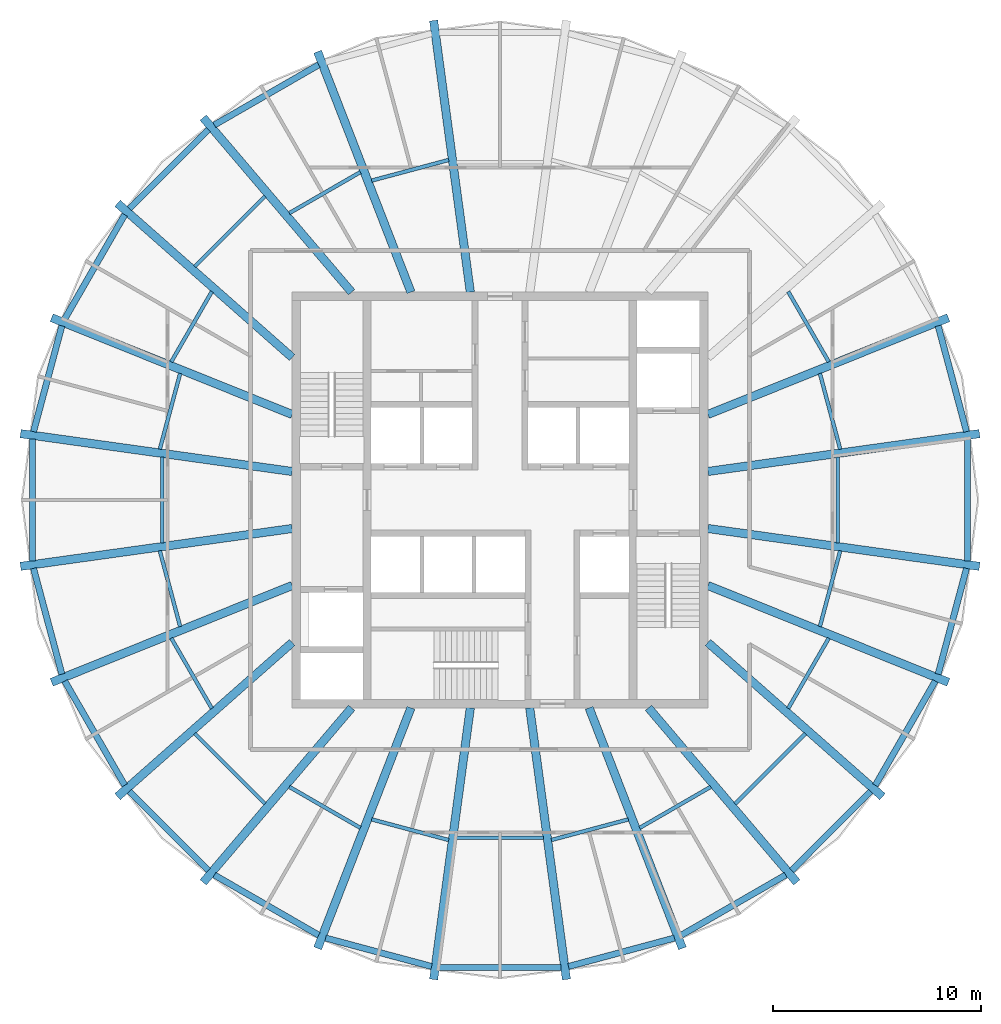
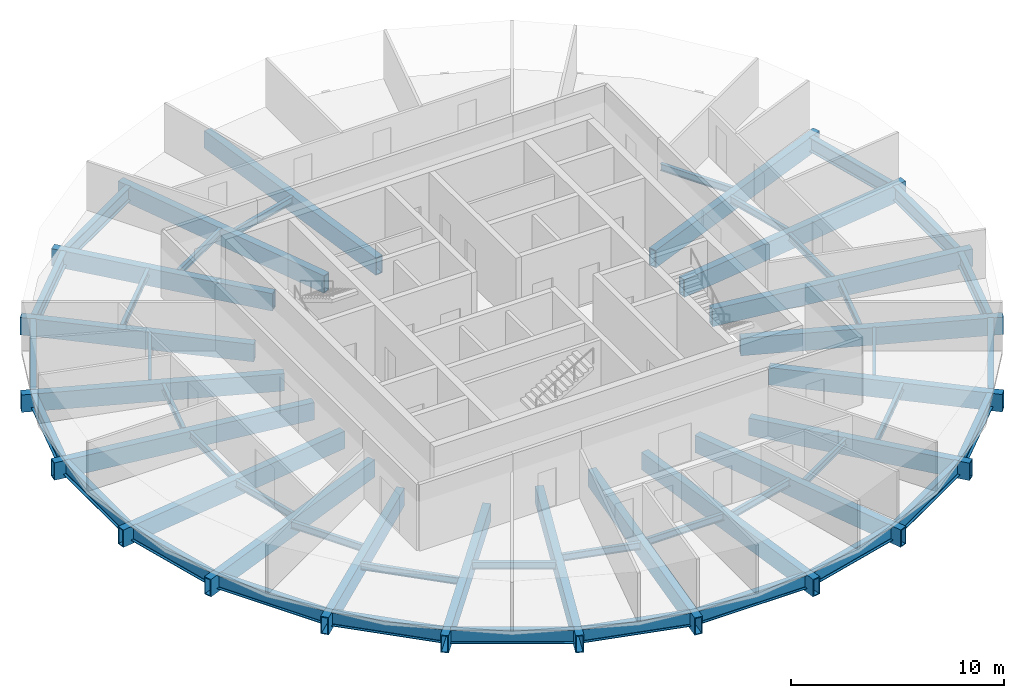
# One storey, part 1 of 6: 58 beams.
"""IFC4 building model written with IfcOpenShell, lengths in metres."""

import ifcopenshell
import ifcopenshell.guid

model = None  # the IFC model being written
_history = None  # IfcOwnerHistory: only IFC2X3 demands one
_inside = {}  # id of a spatial element -> (the spatial element, [elements in it])
_under = {}  # id of a project, library or spatial element -> (it, [spatial elements below it])
_declared = {}  # id of a project -> (the project, [libraries it declares])
_typed = {}  # id of a type object -> (the type object, [elements of that type])
_made_of = {}  # id of a material, layer set ... -> (it, [elements and type objects made of it])


def new_model(schema):
    """Start an empty IFC model of exactly this schema.

    Asked for "IFC4X3", IfcOpenShell would pick the latest addendum, in which some entities
    have other attributes; the version numbers below select the first issue.
    IFC2X3 requires an IfcOwnerHistory on every rooted entity: one is made here for all.
    """
    global model, _history
    if schema == "IFC4X3":
        model = ifcopenshell.file(schema_version=(4, 3, 0, 0))
    else:
        model = ifcopenshell.file(schema=schema)
    _inside.clear()
    _under.clear()
    _declared.clear()
    _typed.clear()
    _made_of.clear()
    _history = None
    if model.schema == "IFC2X3":
        org = make("IfcOrganization", Name="unknown")
        user = make(
            "IfcPersonAndOrganization",
            ThePerson=make("IfcPerson", FamilyName="unknown"),
            TheOrganization=org,
        )
        app = make(
            "IfcApplication",
            ApplicationDeveloper=org,
            Version="unknown",
            ApplicationFullName="unknown",
            ApplicationIdentifier="unknown",
        )
        _history = make(
            "IfcOwnerHistory",
            OwningUser=user,
            OwningApplication=app,
            ChangeAction="ADDED",
            CreationDate=0,
        )
    return model


def make(cls, **values):
    """One entity of the class cls with the attributes given. An attribute that is None is left unset."""
    return model.create_entity(
        cls, **{name: value for name, value in values.items() if value is not None}
    )


def rooted(cls, **values):
    """An entity with a GlobalId (a new one), such as an element, a storey or a relation."""
    return make(cls, GlobalId=ifcopenshell.guid.new(), OwnerHistory=_history, **values)


def si_unit(unit_type, name, prefix=None):
    """IfcSIUnit, for example si_unit("LENGTHUNIT", "METRE", prefix="MILLI")."""
    return make("IfcSIUnit", UnitType=unit_type, Prefix=prefix, Name=name)


def assignment(units):
    """IfcUnitAssignment: the units of a project."""
    return None if units is None else make("IfcUnitAssignment", Units=units)


def point(xyz):
    """IfcCartesianPoint."""
    return None if xyz is None else make("IfcCartesianPoint", Coordinates=xyz)


def direction(xyz):
    """IfcDirection."""
    return None if xyz is None else make("IfcDirection", DirectionRatios=xyz)


def frame(location, z_axis=None, x_axis=None):
    """IfcAxis2Placement3D, a coordinate frame: its origin and axes. An axis left out is left unset."""
    return make(
        "IfcAxis2Placement3D",
        Location=point(location),
        Axis=direction(z_axis),
        RefDirection=direction(x_axis),
    )


def frame_2d(location, x_axis=None):
    """IfcAxis2Placement2D, a coordinate frame in the plane: its origin and x axis."""
    return make(
        "IfcAxis2Placement2D", Location=point(location), RefDirection=direction(x_axis)
    )


def origin():
    """The frame at (0, 0, 0) with its axes left unset."""
    return frame((0.0, 0.0, 0.0))


def origin_2d():
    """The frame at (0, 0) in the plane with its x axis left unset."""
    return frame_2d((0.0, 0.0))


def place(relative_to, where):
    """IfcLocalPlacement: puts the frame where relative to a parent placement (None: the world)."""
    return make(
        "IfcLocalPlacement", PlacementRelTo=relative_to, RelativePlacement=where
    )


def context(
    kind, dimensions, precision=None, world=None, true_north=None, identifier=None
):
    """IfcGeometricRepresentationContext, for example the 3D "Model" context."""
    return make(
        "IfcGeometricRepresentationContext",
        ContextIdentifier=identifier,
        ContextType=kind,
        CoordinateSpaceDimension=dimensions,
        Precision=precision,
        WorldCoordinateSystem=world,
        TrueNorth=true_north,
    )


def subcontext(parent, identifier, kind, view, scale=None):
    """IfcGeometricRepresentationSubContext, for example "Body" below "Model"."""
    return make(
        "IfcGeometricRepresentationSubContext",
        ContextIdentifier=identifier,
        ContextType=kind,
        ParentContext=parent,
        TargetScale=scale,
        TargetView=view,
    )


def project(units=None, contexts=None):
    """IfcProject with its units and contexts."""
    return rooted(
        "IfcProject",
        Name="project",
        RepresentationContexts=contexts,
        UnitsInContext=assignment(units),
    )


def spatial(cls, under=None, at=None, **own):
    """A site, building, storey or space (cls), placed at a placement, below another one or the project."""
    s = rooted(cls, ObjectPlacement=at, **own)
    if under is not None:
        _under.setdefault(under.id(), (under, []))[1].append(s)
    return s


def profile(cls, at=None, kind="AREA", **sizes):
    """A parametric profile (cls). Its sizes go by their IFC names, for example OverallWidth=200.0."""
    return make(cls, ProfileType=kind, Position=at, **sizes)


def hollow_rectangle(**sizes):
    """IfcRectangleHollowProfileDef."""
    return profile("IfcRectangleHollowProfileDef", **sizes)


def i_section(**sizes):
    """IfcIShapeProfileDef."""
    return profile("IfcIShapeProfileDef", **sizes)


def extrude(swept, where, along, depth):
    """IfcExtrudedAreaSolid: the profile swept, set in the frame where, extruded along a direction by depth."""
    return make(
        "IfcExtrudedAreaSolid",
        SweptArea=swept,
        Position=where,
        ExtrudedDirection=direction(along),
        Depth=depth,
    )


def shape(context_of_items, identifier, shape_type, items):
    """IfcShapeRepresentation: the items that make up one representation, for example the "Body"."""
    return make(
        "IfcShapeRepresentation",
        ContextOfItems=context_of_items,
        RepresentationIdentifier=identifier,
        RepresentationType=shape_type,
        Items=items,
    )


def material(Name=None, Category=None):
    """IfcMaterial."""
    return make("IfcMaterial", Name=Name, Category=Category)


def material_profile(
    of_material, cross_section, Name=None, Category=None, Priority=None
):
    """IfcMaterialProfile: a cross section and its material."""
    return make(
        "IfcMaterialProfile",
        Name=Name,
        Material=of_material,
        Profile=cross_section,
        Priority=Priority,
        Category=Category,
    )


def profile_set(profiles, Name=None, composite=None):
    """IfcMaterialProfileSet."""
    return make(
        "IfcMaterialProfileSet",
        Name=Name,
        MaterialProfiles=profiles,
        CompositeProfile=composite,
    )


def made_of(thing, what):
    """Note that an element or type object is made of a material, layer set ...; save() writes the relation."""
    if what is not None:
        _made_of.setdefault(what.id(), (what, []))[1].append(thing)
    return thing


def type_object(cls, material=None, **own):
    """A type object (cls), such as IfcWallType, which elements share."""
    return made_of(rooted(cls, **own), material)


def element(
    cls,
    number,
    at=None,
    inside=None,
    cuts=None,
    type_object=None,
    material=None,
    context=None,
    identifier="Body",
    shape_type=None,
    held_by="IfcProductDefinitionShape",
    body=None,
    shapes=None,
    **own,
):
    """One element of the class cls, such as IfcWall. Its Tag is "e" and its number.

    at: its placement. inside: the storey or other place that contains it. cuts: it is an
    opening in that element (IfcRelVoidsElement). A single representation is given by context,
    identifier, shape_type and body (its items); several are given by shapes. held_by: the class
    of the entity that holds the representations. save() writes the other relations.
    """
    e = rooted(cls, Tag="e%d" % number, ObjectPlacement=at, **own)
    if body is not None:
        shapes = [shape(context, identifier, shape_type, body)]
    if shapes is not None:
        e.Representation = make(held_by, Representations=shapes)
    if inside is not None:
        _inside.setdefault(inside.id(), (inside, []))[1].append(e)
    if cuts is not None:
        rooted(
            "IfcRelVoidsElement", RelatingBuildingElement=cuts, RelatedOpeningElement=e
        )
    if type_object is not None:
        _typed.setdefault(type_object.id(), (type_object, []))[1].append(e)
    return made_of(e, material)


def aggregate(whole, parts):
    """IfcRelAggregates: a whole, such as a stair, and the parts it consists of."""
    return rooted("IfcRelAggregates", RelatingObject=whole, RelatedObjects=parts)


def save(model, path):
    """Write the relations noted so far, then the file.

    IfcRelAggregates (storeys below a building ...), IfcRelContainedInSpatialStructure (elements
    in a storey), IfcRelDefinesByType, IfcRelAssociatesMaterial and IfcRelDeclares: one each for
    every whole, place, type object, material and project.
    """
    for whole, parts in _under.values():
        aggregate(whole, parts)
    for where, things in _inside.values():
        rooted(
            "IfcRelContainedInSpatialStructure",
            RelatedElements=things,
            RelatingStructure=where,
        )
    for kind, things in _typed.values():
        rooted("IfcRelDefinesByType", RelatedObjects=things, RelatingType=kind)
    for what, things in _made_of.values():
        rooted("IfcRelAssociatesMaterial", RelatedObjects=things, RelatingMaterial=what)
    for by, libraries in _declared.values():
        rooted("IfcRelDeclares", RelatingContext=by, RelatedDefinitions=libraries)
    model.write(path)


model = new_model("IFC4")

# Units and contexts
model_context = context("Model", 3, precision=1e-05, world=origin(), true_north=direction((0.0, 1.0)))
body_context = subcontext(model_context, "Body", "Model", "MODEL_VIEW")
ifc_project = project(units=[si_unit("LENGTHUNIT", "METRE"), si_unit("AREAUNIT", "SQUARE_METRE"), si_unit("VOLUMEUNIT", "CUBIC_METRE"), si_unit("PLANEANGLEUNIT", "RADIAN"), si_unit("MASSUNIT", "GRAM", prefix="KILO")], contexts=[model_context])

# Site, building, storey
site_placement = place(None, origin())
site = spatial("IfcSite", under=ifc_project, at=site_placement, CompositionType="ELEMENT")
building_placement = place(site_placement, origin())
building = spatial("IfcBuilding", under=site, at=building_placement, Name="Golbaran Civic Tower", CompositionType="ELEMENT")
storey_placement = place(building_placement, frame((0.0, 0.0, 224.0)))
storey = spatial("IfcBuildingStorey", under=building, at=storey_placement, Name="L54", CompositionType="ELEMENT", Elevation=224.0)

# Beams
ifc_material = material(Name="Steel S355", Category="steel")
ifc_material_profile_1 = material_profile(ifc_material, i_section(OverallWidth=0.300048828125, OverallDepth=0.800048828125, WebThickness=0.017578125, FlangeThickness=0.032958984375, FilletRadius=0.030029296875, at=origin_2d()), Name="HEB 800")
ifc_profile_set_1 = profile_set([ifc_material_profile_1], Name="Steel S355")
beam_type_1 = type_object("IfcBeamType", Name="EDGE BEAM HEB 800", PredefinedType="BEAM", material=ifc_profile_set_1)
beam_1_placement = place(storey_placement, frame((22.44482421875, 3.28759765625, -0.60009765625), z_axis=(-0.258905113737, 0.965902760158, 0.0), x_axis=(-0.965902760158, -0.258905113737, 0.0)))
element("IfcBeam", 1, at=beam_1_placement, inside=storey, type_object=beam_type_1, Name="Edge beam 7.88 L54", PredefinedType="BEAM", context=body_context, shape_type="SweptSolid", body=[
    extrude(i_section(OverallWidth=0.300048828125, OverallDepth=0.800048828125, WebThickness=0.017578125, FlangeThickness=0.032958984375, FilletRadius=0.030029296875, at=origin_2d()), origin(), (0.0, 0.0, 1.0), 5.270263671875),
])
beam_2_placement = place(storey_placement, frame((-8.723876953125, 20.937255859375, -0.60009765625), z_axis=(-0.866375593254, -0.499392962919, 0.0), x_axis=(0.499392962919, -0.866375593254, 0.0)))
element("IfcBeam", 2, at=beam_2_placement, inside=storey, type_object=beam_type_1, Name="Edge beam 112.12 L54", PredefinedType="BEAM", context=body_context, shape_type="SweptSolid", body=[
    extrude(i_section(OverallWidth=0.300048828125, OverallDepth=0.800048828125, WebThickness=0.017578125, FlangeThickness=0.032958984375, FilletRadius=0.030029296875, at=origin_2d()), origin(), (0.0, 0.0, 1.0), 5.795166015625),
])
beam_3_placement = place(storey_placement, frame((-14.03076171875, 17.823974609375, -0.60009765625), z_axis=(-0.706789377825, -0.707424042137, 0.0), x_axis=(0.707424042137, -0.706789377825, 0.0)))
element("IfcBeam", 3, at=beam_3_placement, inside=storey, type_object=beam_type_1, Name="Edge beam 127.88 L54", PredefinedType="BEAM", context=body_context, shape_type="SweptSolid", body=[
    extrude(i_section(OverallWidth=0.300048828125, OverallDepth=0.800048828125, WebThickness=0.017578125, FlangeThickness=0.032958984375, FilletRadius=0.030029296875, at=origin_2d()), origin(), (0.0, 0.0, 1.0), 5.385498046875),
])
beam_4_placement = place(storey_placement, frame((-18.056396484375, 13.727294921875, -0.60009765625), z_axis=(-0.498739777228, -0.866751772199, 0.0), x_axis=(0.866751772199, -0.498739777228, 0.0)))
element("IfcBeam", 4, at=beam_4_placement, inside=storey, type_object=beam_type_1, Name="Edge beam 142.12 L54", PredefinedType="BEAM", context=body_context, shape_type="SweptSolid", body=[
    extrude(i_section(OverallWidth=0.300048828125, OverallDepth=0.800048828125, WebThickness=0.017578125, FlangeThickness=0.032958984375, FilletRadius=0.030029296875, at=origin_2d()), origin(), (0.0, 0.0, 1.0), 5.78759765625),
])
beam_5_placement = place(storey_placement, frame((-21.080322265625, 8.378173828125, -0.60009765625), z_axis=(-0.258905113737, -0.965902760158, 0.0), x_axis=(0.965902760158, -0.258905113737, 0.0)))
element("IfcBeam", 5, at=beam_5_placement, inside=storey, type_object=beam_type_1, Name="Edge beam 157.88 L54", PredefinedType="BEAM", context=body_context, shape_type="SweptSolid", body=[
    extrude(i_section(OverallWidth=0.300048828125, OverallDepth=0.800048828125, WebThickness=0.017578125, FlangeThickness=0.032958984375, FilletRadius=0.030029296875, at=origin_2d()), origin(), (0.0, 0.0, 1.0), 5.270263671875),
])
beam_6_placement = place(storey_placement, frame((-22.49169921875, 2.9306640625, -0.60009765625), z_axis=(0.0, -1.0, 0.0), x_axis=(1.0, 0.0, 0.0)))
element("IfcBeam", 6, at=beam_6_placement, inside=storey, type_object=beam_type_1, Name="Edge beam 172.12 L54", PredefinedType="BEAM", context=body_context, shape_type="SweptSolid", body=[
    extrude(i_section(OverallWidth=0.300048828125, OverallDepth=0.800048828125, WebThickness=0.017578125, FlangeThickness=0.032958984375, FilletRadius=0.030029296875, at=origin_2d()), origin(), (0.0, 0.0, 1.0), 5.861328125),
])
beam_7_placement = place(storey_placement, frame((-22.44482421875, -3.28759765625, -0.60009765625), z_axis=(0.258905113737, -0.965902760158, 0.0), x_axis=(0.965902760158, 0.258905113737, 0.0)))
element("IfcBeam", 7, at=beam_7_placement, inside=storey, type_object=beam_type_1, Name="Edge beam 187.88 L54", PredefinedType="BEAM", context=body_context, shape_type="SweptSolid", body=[
    extrude(i_section(OverallWidth=0.300048828125, OverallDepth=0.800048828125, WebThickness=0.017578125, FlangeThickness=0.032958984375, FilletRadius=0.030029296875, at=origin_2d()), origin(), (0.0, 0.0, 1.0), 5.270263671875),
])
beam_8_placement = place(storey_placement, frame((-20.94287109375, -8.7109375, -0.60009765625), z_axis=(0.498739777228, -0.866751772199, 0.0), x_axis=(0.866751772199, 0.498739777228, 0.0)))
element("IfcBeam", 8, at=beam_8_placement, inside=storey, type_object=beam_type_1, Name="Edge beam 202.12 L54", PredefinedType="BEAM", context=body_context, shape_type="SweptSolid", body=[
    extrude(i_section(OverallWidth=0.300048828125, OverallDepth=0.800048828125, WebThickness=0.017578125, FlangeThickness=0.032958984375, FilletRadius=0.030029296875, at=origin_2d()), origin(), (0.0, 0.0, 1.0), 5.78759765625),
])
beam_9_placement = place(storey_placement, frame((-17.837158203125, -14.01416015625, -0.60009765625), z_axis=(0.706789377825, -0.707424042137, 0.0), x_axis=(0.707424042137, 0.706789377825, 0.0)))
element("IfcBeam", 9, at=beam_9_placement, inside=storey, type_object=beam_type_1, Name="Edge beam 217.88 L54", PredefinedType="BEAM", context=body_context, shape_type="SweptSolid", body=[
    extrude(i_section(OverallWidth=0.300048828125, OverallDepth=0.800048828125, WebThickness=0.017578125, FlangeThickness=0.032958984375, FilletRadius=0.030029296875, at=origin_2d()), origin(), (0.0, 0.0, 1.0), 5.385498046875),
])
beam_10_placement = place(storey_placement, frame((-13.74462890625, -18.043212890625, -0.60009765625), z_axis=(0.866375593254, -0.499392962919, 0.0), x_axis=(0.499392962919, 0.866375593254, 0.0)))
element("IfcBeam", 10, at=beam_10_placement, inside=storey, type_object=beam_type_1, Name="Edge beam 232.12 L54", PredefinedType="BEAM", context=body_context, shape_type="SweptSolid", body=[
    extrude(i_section(OverallWidth=0.300048828125, OverallDepth=0.800048828125, WebThickness=0.017578125, FlangeThickness=0.032958984375, FilletRadius=0.030029296875, at=origin_2d()), origin(), (0.0, 0.0, 1.0), 5.795166015625),
])
beam_11_placement = place(storey_placement, frame((-8.391357421875, -21.0751953125, -0.60009765625), z_axis=(0.96580302518, -0.259276910954, 0.0), x_axis=(0.259276910954, 0.96580302518, 0.0)))
element("IfcBeam", 11, at=beam_11_placement, inside=storey, type_object=beam_type_1, Name="Edge beam 247.88 L54", PredefinedType="BEAM", context=body_context, shape_type="SweptSolid", body=[
    extrude(i_section(OverallWidth=0.300048828125, OverallDepth=0.800048828125, WebThickness=0.017578125, FlangeThickness=0.032958984375, FilletRadius=0.030029296875, at=origin_2d()), origin(), (0.0, 0.0, 1.0), 5.27978515625),
])
beam_12_placement = place(storey_placement, frame((-2.935302734375, -22.4912109375, -0.60009765625), z_axis=(1.0, 0.0, 0.0), x_axis=(0.0, 1.0, 0.0)))
element("IfcBeam", 12, at=beam_12_placement, inside=storey, type_object=beam_type_1, Name="Edge beam 262.12 L54", PredefinedType="BEAM", context=body_context, shape_type="SweptSolid", body=[
    extrude(i_section(OverallWidth=0.300048828125, OverallDepth=0.800048828125, WebThickness=0.017578125, FlangeThickness=0.032958984375, FilletRadius=0.030029296875, at=origin_2d()), origin(), (0.0, 0.0, 1.0), 5.87060546875),
])
beam_13_placement = place(storey_placement, frame((3.292236328125, -22.444091796875, -0.60009765625), z_axis=(0.96580302518, 0.259276910954, 0.0), x_axis=(-0.259276910954, 0.96580302518, 0.0)))
element("IfcBeam", 13, at=beam_13_placement, inside=storey, type_object=beam_type_1, Name="Edge beam 277.88 L54", PredefinedType="BEAM", context=body_context, shape_type="SweptSolid", body=[
    extrude(i_section(OverallWidth=0.300048828125, OverallDepth=0.800048828125, WebThickness=0.017578125, FlangeThickness=0.032958984375, FilletRadius=0.030029296875, at=origin_2d()), origin(), (0.0, 0.0, 1.0), 5.27978515625),
])
beam_14_placement = place(storey_placement, frame((8.723876953125, -20.937255859375, -0.60009765625), z_axis=(0.866375593254, 0.499392962919, 0.0), x_axis=(-0.499392962919, 0.866375593254, 0.0)))
element("IfcBeam", 14, at=beam_14_placement, inside=storey, type_object=beam_type_1, Name="Edge beam 292.12 L54", PredefinedType="BEAM", context=body_context, shape_type="SweptSolid", body=[
    extrude(i_section(OverallWidth=0.300048828125, OverallDepth=0.800048828125, WebThickness=0.017578125, FlangeThickness=0.032958984375, FilletRadius=0.030029296875, at=origin_2d()), origin(), (0.0, 0.0, 1.0), 5.795166015625),
])
beam_15_placement = place(storey_placement, frame((14.03076171875, -17.823974609375, -0.60009765625), z_axis=(0.706789377825, 0.707424042137, 0.0), x_axis=(-0.707424042137, 0.706789377825, 0.0)))
element("IfcBeam", 15, at=beam_15_placement, inside=storey, type_object=beam_type_1, Name="Edge beam 307.88 L54", PredefinedType="BEAM", context=body_context, shape_type="SweptSolid", body=[
    extrude(i_section(OverallWidth=0.300048828125, OverallDepth=0.800048828125, WebThickness=0.017578125, FlangeThickness=0.032958984375, FilletRadius=0.030029296875, at=origin_2d()), origin(), (0.0, 0.0, 1.0), 5.385498046875),
])
beam_16_placement = place(storey_placement, frame((18.056396484375, -13.727294921875, -0.60009765625), z_axis=(0.498739777228, 0.866751772199, 0.0), x_axis=(-0.866751772199, 0.498739777228, 0.0)))
element("IfcBeam", 16, at=beam_16_placement, inside=storey, type_object=beam_type_1, Name="Edge beam 322.12 L54", PredefinedType="BEAM", context=body_context, shape_type="SweptSolid", body=[
    extrude(i_section(OverallWidth=0.300048828125, OverallDepth=0.800048828125, WebThickness=0.017578125, FlangeThickness=0.032958984375, FilletRadius=0.030029296875, at=origin_2d()), origin(), (0.0, 0.0, 1.0), 5.78759765625),
])
beam_17_placement = place(storey_placement, frame((21.080322265625, -8.378173828125, -0.60009765625), z_axis=(0.258905113737, 0.965902760158, 0.0), x_axis=(-0.965902760158, 0.258905113737, 0.0)))
element("IfcBeam", 17, at=beam_17_placement, inside=storey, type_object=beam_type_1, Name="Edge beam 337.88 L54", PredefinedType="BEAM", context=body_context, shape_type="SweptSolid", body=[
    extrude(i_section(OverallWidth=0.300048828125, OverallDepth=0.800048828125, WebThickness=0.017578125, FlangeThickness=0.032958984375, FilletRadius=0.030029296875, at=origin_2d()), origin(), (0.0, 0.0, 1.0), 5.270263671875),
])
beam_18_placement = place(storey_placement, frame((22.49169921875, -2.9306640625, -0.60009765625), z_axis=(0.0, 1.0, 0.0), x_axis=(-1.0, 0.0, 0.0)))
element("IfcBeam", 18, at=beam_18_placement, inside=storey, type_object=beam_type_1, Name="Edge beam 352.12 L54", PredefinedType="BEAM", context=body_context, shape_type="SweptSolid", body=[
    extrude(i_section(OverallWidth=0.300048828125, OverallDepth=0.800048828125, WebThickness=0.017578125, FlangeThickness=0.032958984375, FilletRadius=0.030029296875, at=origin_2d()), origin(), (0.0, 0.0, 1.0), 5.861328125),
])
ifc_material_profile_2 = material_profile(ifc_material, i_section(OverallWidth=0.179931640625, OverallDepth=0.39990234375, WebThickness=0.008544921875, FlangeThickness=0.013427734375, FilletRadius=0.02099609375, at=origin_2d()), Name="IPE 400")
ifc_profile_set_2 = profile_set([ifc_material_profile_2], Name="Steel S355")
beam_type_2 = type_object("IfcBeamType", Name="FLOOR INFILL BEAM IPE 400", PredefinedType="BEAM", material=ifc_profile_set_2)
beam_19_placement = place(storey_placement, frame((16.36767578125, 2.440673828125, -0.39990234375), z_axis=(-0.258821169089, 0.965925257166, 0.0), x_axis=(-0.965925257166, -0.258821169089, 0.0)))
element("IfcBeam", 19, at=beam_19_placement, inside=storey, type_object=beam_type_2, Name="Infill beam 15.00 L54", PredefinedType="BEAM", context=body_context, shape_type="SweptSolid", body=[
    extrude(i_section(OverallWidth=0.179931640625, OverallDepth=0.39990234375, WebThickness=0.008544921875, FlangeThickness=0.013427734375, FilletRadius=0.02099609375, at=origin_2d()), origin(), (0.0, 0.0, 1.0), 3.77685546875),
])
beam_20_placement = place(storey_placement, frame((15.816650390625, 6.6484375, -0.39990234375), z_axis=(-0.500007641471, 0.866020991934, 0.0), x_axis=(-0.866020991934, -0.500007641471, 0.0)))
element("IfcBeam", 20, at=beam_20_placement, inside=storey, type_object=beam_type_2, Name="Infill beam 30.00 L54", PredefinedType="BEAM", context=body_context, shape_type="SweptSolid", body=[
    extrude(i_section(OverallWidth=0.179931640625, OverallDepth=0.39990234375, WebThickness=0.008544921875, FlangeThickness=0.013427734375, FilletRadius=0.02099609375, at=origin_2d()), origin(), (0.0, 0.0, 1.0), 3.90283203125),
])
beam_21_placement = place(storey_placement, frame((-2.4697265625, 16.359619140625, -0.39990234375), z_axis=(-0.965929020608, -0.258807123448, 0.0), x_axis=(0.258807123448, -0.965929020608, 0.0)))
element("IfcBeam", 21, at=beam_21_placement, inside=storey, type_object=beam_type_2, Name="Infill beam 105.00 L54", PredefinedType="BEAM", context=body_context, shape_type="SweptSolid", body=[
    extrude(i_section(OverallWidth=0.179931640625, OverallDepth=0.39990234375, WebThickness=0.008544921875, FlangeThickness=0.013427734375, FilletRadius=0.02099609375, at=origin_2d()), origin(), (0.0, 0.0, 1.0), 3.83642578125),
])
beam_22_placement = place(storey_placement, frame((-6.72021484375, 15.77490234375, -0.39990234375), z_axis=(-0.866038289882, -0.49997767996, 0.0), x_axis=(0.49997767996, -0.866038289882, 0.0)))
element("IfcBeam", 22, at=beam_22_placement, inside=storey, type_object=beam_type_2, Name="Infill beam 120.00 L54", PredefinedType="BEAM", context=body_context, shape_type="SweptSolid", body=[
    extrude(i_section(OverallWidth=0.179931640625, OverallDepth=0.39990234375, WebThickness=0.008544921875, FlangeThickness=0.013427734375, FilletRadius=0.02099609375, at=origin_2d()), origin(), (0.0, 0.0, 1.0), 3.947021484375),
])
beam_23_placement = place(storey_placement, frame((-11.306640625, 14.619873046875, -0.39990234375), z_axis=(-0.707106781187, -0.707106781187, 0.0), x_axis=(0.707106781187, -0.707106781187, 0.0)))
element("IfcBeam", 23, at=beam_23_placement, inside=storey, type_object=beam_type_2, Name="Infill beam 135.00 L54", PredefinedType="BEAM", context=body_context, shape_type="SweptSolid", body=[
    extrude(i_section(OverallWidth=0.179931640625, OverallDepth=0.39990234375, WebThickness=0.008544921875, FlangeThickness=0.013427734375, FilletRadius=0.02099609375, at=origin_2d()), origin(), (0.0, 0.0, 1.0), 4.78466796875),
])
beam_24_placement = place(storey_placement, frame((-13.865234375, 10.0283203125, -0.39990234375), z_axis=(-0.500007641471, -0.866020991934, 0.0), x_axis=(0.866020991934, -0.500007641471, 0.0)))
element("IfcBeam", 24, at=beam_24_placement, inside=storey, type_object=beam_type_2, Name="Infill beam 150.00 L54", PredefinedType="BEAM", context=body_context, shape_type="SweptSolid", body=[
    extrude(i_section(OverallWidth=0.179931640625, OverallDepth=0.39990234375, WebThickness=0.008544921875, FlangeThickness=0.013427734375, FilletRadius=0.02099609375, at=origin_2d()), origin(), (0.0, 0.0, 1.0), 3.90283203125),
])
beam_25_placement = place(storey_placement, frame((-15.39013671875, 6.0888671875, -0.39990234375), z_axis=(-0.258821169089, -0.965925257166, 0.0), x_axis=(0.965925257166, -0.258821169089, 0.0)))
element("IfcBeam", 25, at=beam_25_placement, inside=storey, type_object=beam_type_2, Name="Infill beam 165.00 L54", PredefinedType="BEAM", context=body_context, shape_type="SweptSolid", body=[
    extrude(i_section(OverallWidth=0.179931640625, OverallDepth=0.39990234375, WebThickness=0.008544921875, FlangeThickness=0.013427734375, FilletRadius=0.02099609375, at=origin_2d()), origin(), (0.0, 0.0, 1.0), 3.77685546875),
])
beam_26_placement = place(storey_placement, frame((-16.245849609375, 2.06005859375, -0.39990234375), z_axis=(0.0, -1.0, 0.0), x_axis=(1.0, 0.0, 0.0)))
element("IfcBeam", 26, at=beam_26_placement, inside=storey, type_object=beam_type_2, Name="Infill beam 180.00 L54", PredefinedType="BEAM", context=body_context, shape_type="SweptSolid", body=[
    extrude(i_section(OverallWidth=0.179931640625, OverallDepth=0.39990234375, WebThickness=0.008544921875, FlangeThickness=0.013427734375, FilletRadius=0.02099609375, at=origin_2d()), origin(), (0.0, 0.0, 1.0), 4.1201171875),
])
beam_27_placement = place(storey_placement, frame((-16.36767578125, -2.440673828125, -0.39990234375), z_axis=(0.258821169089, -0.965925257166, 0.0), x_axis=(0.965925257166, 0.258821169089, 0.0)))
element("IfcBeam", 27, at=beam_27_placement, inside=storey, type_object=beam_type_2, Name="Infill beam 195.00 L54", PredefinedType="BEAM", context=body_context, shape_type="SweptSolid", body=[
    extrude(i_section(OverallWidth=0.179931640625, OverallDepth=0.39990234375, WebThickness=0.008544921875, FlangeThickness=0.013427734375, FilletRadius=0.02099609375, at=origin_2d()), origin(), (0.0, 0.0, 1.0), 3.77685546875),
])
beam_28_placement = place(storey_placement, frame((-15.816650390625, -6.6484375, -0.39990234375), z_axis=(0.500007641471, -0.866020991934, 0.0), x_axis=(0.866020991934, 0.500007641471, 0.0)))
element("IfcBeam", 28, at=beam_28_placement, inside=storey, type_object=beam_type_2, Name="Infill beam 210.00 L54", PredefinedType="BEAM", context=body_context, shape_type="SweptSolid", body=[
    extrude(i_section(OverallWidth=0.179931640625, OverallDepth=0.39990234375, WebThickness=0.008544921875, FlangeThickness=0.013427734375, FilletRadius=0.02099609375, at=origin_2d()), origin(), (0.0, 0.0, 1.0), 3.90283203125),
])
beam_29_placement = place(storey_placement, frame((-14.68994140625, -11.236572265625, -0.39990234375), z_axis=(0.707106781187, -0.707106781187, 0.0), x_axis=(0.707106781187, 0.707106781187, 0.0)))
element("IfcBeam", 29, at=beam_29_placement, inside=storey, type_object=beam_type_2, Name="Infill beam 225.00 L54", PredefinedType="BEAM", context=body_context, shape_type="SweptSolid", body=[
    extrude(i_section(OverallWidth=0.179931640625, OverallDepth=0.39990234375, WebThickness=0.008544921875, FlangeThickness=0.013427734375, FilletRadius=0.02099609375, at=origin_2d()), origin(), (0.0, 0.0, 1.0), 4.78466796875),
])
beam_30_placement = place(storey_placement, frame((-10.138427734375, -13.801513671875, -0.39990234375), z_axis=(0.866038289882, -0.49997767996, 0.0), x_axis=(0.49997767996, 0.866038289882, 0.0)))
element("IfcBeam", 30, at=beam_30_placement, inside=storey, type_object=beam_type_2, Name="Infill beam 240.00 L54", PredefinedType="BEAM", context=body_context, shape_type="SweptSolid", body=[
    extrude(i_section(OverallWidth=0.179931640625, OverallDepth=0.39990234375, WebThickness=0.008544921875, FlangeThickness=0.013427734375, FilletRadius=0.02099609375, at=origin_2d()), origin(), (0.0, 0.0, 1.0), 3.947021484375),
])
beam_31_placement = place(storey_placement, frame((-6.175537109375, -15.36669921875, -0.39990234375), z_axis=(0.965929020608, -0.258807123448, 0.0), x_axis=(0.258807123448, 0.965929020608, 0.0)))
element("IfcBeam", 31, at=beam_31_placement, inside=storey, type_object=beam_type_2, Name="Infill beam 255.00 L54", PredefinedType="BEAM", context=body_context, shape_type="SweptSolid", body=[
    extrude(i_section(OverallWidth=0.179931640625, OverallDepth=0.39990234375, WebThickness=0.008544921875, FlangeThickness=0.013427734375, FilletRadius=0.02099609375, at=origin_2d()), origin(), (0.0, 0.0, 1.0), 3.83642578125),
])
beam_32_placement = place(storey_placement, frame((-2.091064453125, -16.24560546875, -0.39990234375), z_axis=(1.0, 0.0, 0.0), x_axis=(0.0, 1.0, 0.0)))
element("IfcBeam", 32, at=beam_32_placement, inside=storey, type_object=beam_type_2, Name="Infill beam 270.00 L54", PredefinedType="BEAM", context=body_context, shape_type="SweptSolid", body=[
    extrude(i_section(OverallWidth=0.179931640625, OverallDepth=0.39990234375, WebThickness=0.008544921875, FlangeThickness=0.013427734375, FilletRadius=0.02099609375, at=origin_2d()), origin(), (0.0, 0.0, 1.0), 4.18212890625),
])
beam_33_placement = place(storey_placement, frame((2.4697265625, -16.359619140625, -0.39990234375), z_axis=(0.965929020608, 0.258807123448, 0.0), x_axis=(-0.258807123448, 0.965929020608, 0.0)))
element("IfcBeam", 33, at=beam_33_placement, inside=storey, type_object=beam_type_2, Name="Infill beam 285.00 L54", PredefinedType="BEAM", context=body_context, shape_type="SweptSolid", body=[
    extrude(i_section(OverallWidth=0.179931640625, OverallDepth=0.39990234375, WebThickness=0.008544921875, FlangeThickness=0.013427734375, FilletRadius=0.02099609375, at=origin_2d()), origin(), (0.0, 0.0, 1.0), 3.83642578125),
])
beam_34_placement = place(storey_placement, frame((6.72021484375, -15.77490234375, -0.39990234375), z_axis=(0.866038289882, 0.49997767996, 0.0), x_axis=(-0.49997767996, 0.866038289882, 0.0)))
element("IfcBeam", 34, at=beam_34_placement, inside=storey, type_object=beam_type_2, Name="Infill beam 300.00 L54", PredefinedType="BEAM", context=body_context, shape_type="SweptSolid", body=[
    extrude(i_section(OverallWidth=0.179931640625, OverallDepth=0.39990234375, WebThickness=0.008544921875, FlangeThickness=0.013427734375, FilletRadius=0.02099609375, at=origin_2d()), origin(), (0.0, 0.0, 1.0), 3.947021484375),
])
beam_35_placement = place(storey_placement, frame((11.306640625, -14.619873046875, -0.39990234375), z_axis=(0.707106781187, 0.707106781187, 0.0), x_axis=(-0.707106781187, 0.707106781187, 0.0)))
element("IfcBeam", 35, at=beam_35_placement, inside=storey, type_object=beam_type_2, Name="Infill beam 315.00 L54", PredefinedType="BEAM", context=body_context, shape_type="SweptSolid", body=[
    extrude(i_section(OverallWidth=0.179931640625, OverallDepth=0.39990234375, WebThickness=0.008544921875, FlangeThickness=0.013427734375, FilletRadius=0.02099609375, at=origin_2d()), origin(), (0.0, 0.0, 1.0), 4.78466796875),
])
beam_36_placement = place(storey_placement, frame((13.865234375, -10.0283203125, -0.39990234375), z_axis=(0.500007641471, 0.866020991934, 0.0), x_axis=(-0.866020991934, 0.500007641471, 0.0)))
element("IfcBeam", 36, at=beam_36_placement, inside=storey, type_object=beam_type_2, Name="Infill beam 330.00 L54", PredefinedType="BEAM", context=body_context, shape_type="SweptSolid", body=[
    extrude(i_section(OverallWidth=0.179931640625, OverallDepth=0.39990234375, WebThickness=0.008544921875, FlangeThickness=0.013427734375, FilletRadius=0.02099609375, at=origin_2d()), origin(), (0.0, 0.0, 1.0), 3.90283203125),
])
beam_37_placement = place(storey_placement, frame((15.39013671875, -6.0888671875, -0.39990234375), z_axis=(0.258821169089, 0.965925257166, 0.0), x_axis=(-0.965925257166, 0.258821169089, 0.0)))
element("IfcBeam", 37, at=beam_37_placement, inside=storey, type_object=beam_type_2, Name="Infill beam 345.00 L54", PredefinedType="BEAM", context=body_context, shape_type="SweptSolid", body=[
    extrude(i_section(OverallWidth=0.179931640625, OverallDepth=0.39990234375, WebThickness=0.008544921875, FlangeThickness=0.013427734375, FilletRadius=0.02099609375, at=origin_2d()), origin(), (0.0, 0.0, 1.0), 3.77685546875),
])
beam_38_placement = place(storey_placement, frame((16.245849609375, -2.06005859375, -0.39990234375), z_axis=(0.0, 1.0, 0.0), x_axis=(-1.0, 0.0, 0.0)))
element("IfcBeam", 38, at=beam_38_placement, inside=storey, type_object=beam_type_2, Name="Infill beam 0.00 L54", PredefinedType="BEAM", context=body_context, shape_type="SweptSolid", body=[
    extrude(i_section(OverallWidth=0.179931640625, OverallDepth=0.39990234375, WebThickness=0.008544921875, FlangeThickness=0.013427734375, FilletRadius=0.02099609375, at=origin_2d()), origin(), (0.0, 0.0, 1.0), 4.1201171875),
])
ifc_material_profile_3 = material_profile(ifc_material, hollow_rectangle(XDim=0.39990234375, YDim=1.0, WallThickness=0.050048828125, at=origin_2d()), Name="BOX 1000x400x50")
ifc_profile_set_3 = profile_set([ifc_material_profile_3], Name="Steel S355")
beam_type_3 = type_object("IfcBeamType", Name="RADIAL FLOOR BEAM BOX 1000x400x50", PredefinedType="BEAM", material=ifc_profile_set_3)
beam_39_placement = place(storey_placement, frame((10.0, 1.371337890625, -0.7099609375), z_axis=(0.990427028146, 0.138037320741, 0.0), x_axis=(-0.138037320741, 0.990427028146, 0.0)))
element("IfcBeam", 39, at=beam_39_placement, inside=storey, type_object=beam_type_3, Name="Radial beam 7.88 L54", PredefinedType="BEAM", context=body_context, shape_type="SweptSolid", body=[
    extrude(hollow_rectangle(XDim=0.39990234375, YDim=1.0, WallThickness=0.050048828125, at=origin_2d()), origin(), (0.0, 0.0, 1.0), 13.194091796875),
])
beam_40_placement = place(storey_placement, frame((10.0, 4.1142578125, -0.7099609375), z_axis=(0.927736562865, 0.373235676112, 0.0), x_axis=(-0.373235676112, 0.927736562865, 0.0)))
element("IfcBeam", 40, at=beam_40_placement, inside=storey, type_object=beam_type_3, Name="Radial beam 22.12 L54", PredefinedType="BEAM", context=body_context, shape_type="SweptSolid", body=[
    extrude(hollow_rectangle(XDim=0.39990234375, YDim=1.0, WallThickness=0.050048828125, at=origin_2d()), origin(), (0.0, 0.0, 1.0), 12.474609375),
])
beam_41_placement = place(storey_placement, frame((-1.428466796875, 10.0, -0.7099609375), z_axis=(-0.133954752894, 0.990987449051, 0.0), x_axis=(-0.990987449051, -0.133954752894, 0.0)))
element("IfcBeam", 41, at=beam_41_placement, inside=storey, type_object=beam_type_3, Name="Radial beam 97.88 L54", PredefinedType="BEAM", context=body_context, shape_type="SweptSolid", body=[
    extrude(hollow_rectangle(XDim=0.39990234375, YDim=1.0, WallThickness=0.050048828125, at=origin_2d()), origin(), (0.0, 0.0, 1.0), 13.186279296875),
])
beam_42_placement = place(storey_placement, frame((-4.28564453125, 10.0, -0.7099609375), z_axis=(-0.361841543131, 0.932239613868, 0.0), x_axis=(-0.932239613868, -0.361841543131, 0.0)))
element("IfcBeam", 42, at=beam_42_placement, inside=storey, type_object=beam_type_3, Name="Radial beam 112.12 L54", PredefinedType="BEAM", context=body_context, shape_type="SweptSolid", body=[
    extrude(hollow_rectangle(XDim=0.39990234375, YDim=1.0, WallThickness=0.050048828125, at=origin_2d()), origin(), (0.0, 0.0, 1.0), 12.412109375),
])
beam_43_placement = place(storey_placement, frame((-7.142822265625, 10.0, -0.7099609375), z_axis=(-0.647723009562, 0.761875910423, 0.0), x_axis=(-0.761875910423, -0.647723009562, 0.0)))
element("IfcBeam", 43, at=beam_43_placement, inside=storey, type_object=beam_type_3, Name="Radial beam 127.88 L54", PredefinedType="BEAM", context=body_context, shape_type="SweptSolid", body=[
    extrude(hollow_rectangle(XDim=0.39990234375, YDim=1.0, WallThickness=0.050048828125, at=origin_2d()), origin(), (0.0, 0.0, 1.0), 11.020751953125),
])
beam_44_placement = place(storey_placement, frame((-10.0, 6.857177734375, -0.7099609375), z_axis=(-0.749759023355, 0.661710969304, 0.0), x_axis=(-0.661710969304, -0.749759023355, 0.0)))
element("IfcBeam", 44, at=beam_44_placement, inside=storey, type_object=beam_type_3, Name="Radial beam 142.12 L54", PredefinedType="BEAM", context=body_context, shape_type="SweptSolid", body=[
    extrude(hollow_rectangle(XDim=0.39990234375, YDim=1.0, WallThickness=0.050048828125, at=origin_2d()), origin(), (0.0, 0.0, 1.0), 11.207763671875),
])
beam_45_placement = place(storey_placement, frame((-10.0, 4.1142578125, -0.7099609375), z_axis=(-0.927736562865, 0.373235676112, 0.0), x_axis=(-0.373235676112, -0.927736562865, 0.0)))
element("IfcBeam", 45, at=beam_45_placement, inside=storey, type_object=beam_type_3, Name="Radial beam 157.88 L54", PredefinedType="BEAM", context=body_context, shape_type="SweptSolid", body=[
    extrude(hollow_rectangle(XDim=0.39990234375, YDim=1.0, WallThickness=0.050048828125, at=origin_2d()), origin(), (0.0, 0.0, 1.0), 12.474609375),
])
for number, where, z_axis, x_axis, name in (
    (46, (-10.0, 1.371337890625, -0.7099609375), (-0.990427028146, 0.138037320741, 0.0), (-0.138037320741, -0.990427028146, 0.0), "Radial beam 172.12 L54"),
    (47, (-10.0, -1.371337890625, -0.7099609375), (-0.990427028146, -0.138037320741, 0.0), (0.138037320741, -0.990427028146, 0.0), "Radial beam 187.88 L54"),
):
    element("IfcBeam", number, at=place(storey_placement, frame(where, z_axis=z_axis, x_axis=x_axis)), inside=storey, type_object=beam_type_3, Name=name, PredefinedType="BEAM", context=body_context, shape_type="SweptSolid", body=[
        extrude(hollow_rectangle(XDim=0.39990234375, YDim=1.0, WallThickness=0.050048828125, at=origin_2d()), origin(), (0.0, 0.0, 1.0), 13.194091796875),
    ])
beam_46_placement = place(storey_placement, frame((-10.0, -4.1142578125, -0.7099609375), z_axis=(-0.927736562865, -0.373235676112, 0.0), x_axis=(0.373235676112, -0.927736562865, 0.0)))
element("IfcBeam", 48, at=beam_46_placement, inside=storey, type_object=beam_type_3, Name="Radial beam 202.12 L54", PredefinedType="BEAM", context=body_context, shape_type="SweptSolid", body=[
    extrude(hollow_rectangle(XDim=0.39990234375, YDim=1.0, WallThickness=0.050048828125, at=origin_2d()), origin(), (0.0, 0.0, 1.0), 12.474609375),
])
beam_47_placement = place(storey_placement, frame((-10.0, -6.857177734375, -0.7099609375), z_axis=(-0.749759023355, -0.661710969304, 0.0), x_axis=(0.661710969304, -0.749759023355, 0.0)))
element("IfcBeam", 49, at=beam_47_placement, inside=storey, type_object=beam_type_3, Name="Radial beam 217.88 L54", PredefinedType="BEAM", context=body_context, shape_type="SweptSolid", body=[
    extrude(hollow_rectangle(XDim=0.39990234375, YDim=1.0, WallThickness=0.050048828125, at=origin_2d()), origin(), (0.0, 0.0, 1.0), 11.207763671875),
])
beam_48_placement = place(storey_placement, frame((-7.142822265625, -10.0, -0.7099609375), z_axis=(-0.647723009562, -0.761875910423, 0.0), x_axis=(0.761875910423, -0.647723009562, 0.0)))
element("IfcBeam", 50, at=beam_48_placement, inside=storey, type_object=beam_type_3, Name="Radial beam 232.12 L54", PredefinedType="BEAM", context=body_context, shape_type="SweptSolid", body=[
    extrude(hollow_rectangle(XDim=0.39990234375, YDim=1.0, WallThickness=0.050048828125, at=origin_2d()), origin(), (0.0, 0.0, 1.0), 11.020751953125),
])
beam_49_placement = place(storey_placement, frame((-4.28564453125, -10.0, -0.7099609375), z_axis=(-0.361841543131, -0.932239613868, 0.0), x_axis=(0.932239613868, -0.361841543131, 0.0)))
element("IfcBeam", 51, at=beam_49_placement, inside=storey, type_object=beam_type_3, Name="Radial beam 247.88 L54", PredefinedType="BEAM", context=body_context, shape_type="SweptSolid", body=[
    extrude(hollow_rectangle(XDim=0.39990234375, YDim=1.0, WallThickness=0.050048828125, at=origin_2d()), origin(), (0.0, 0.0, 1.0), 12.412109375),
])
for number, where, z_axis, x_axis, name in (
    (52, (-1.428466796875, -10.0, -0.7099609375), (-0.133954752894, -0.990987449051, 0.0), (0.990987449051, -0.133954752894, 0.0), "Radial beam 262.12 L54"),
    (53, (1.428466796875, -10.0, -0.7099609375), (0.133954752894, -0.990987449051, 0.0), (0.990987449051, 0.133954752894, 0.0), "Radial beam 277.88 L54"),
):
    element("IfcBeam", number, at=place(storey_placement, frame(where, z_axis=z_axis, x_axis=x_axis)), inside=storey, type_object=beam_type_3, Name=name, PredefinedType="BEAM", context=body_context, shape_type="SweptSolid", body=[
        extrude(hollow_rectangle(XDim=0.39990234375, YDim=1.0, WallThickness=0.050048828125, at=origin_2d()), origin(), (0.0, 0.0, 1.0), 13.186279296875),
    ])
beam_50_placement = place(storey_placement, frame((4.28564453125, -10.0, -0.7099609375), z_axis=(0.361841543131, -0.932239613868, 0.0), x_axis=(0.932239613868, 0.361841543131, 0.0)))
element("IfcBeam", 54, at=beam_50_placement, inside=storey, type_object=beam_type_3, Name="Radial beam 292.12 L54", PredefinedType="BEAM", context=body_context, shape_type="SweptSolid", body=[
    extrude(hollow_rectangle(XDim=0.39990234375, YDim=1.0, WallThickness=0.050048828125, at=origin_2d()), origin(), (0.0, 0.0, 1.0), 12.412109375),
])
beam_51_placement = place(storey_placement, frame((7.142822265625, -10.0, -0.7099609375), z_axis=(0.647723009562, -0.761875910423, 0.0), x_axis=(0.761875910423, 0.647723009562, 0.0)))
element("IfcBeam", 55, at=beam_51_placement, inside=storey, type_object=beam_type_3, Name="Radial beam 307.88 L54", PredefinedType="BEAM", context=body_context, shape_type="SweptSolid", body=[
    extrude(hollow_rectangle(XDim=0.39990234375, YDim=1.0, WallThickness=0.050048828125, at=origin_2d()), origin(), (0.0, 0.0, 1.0), 11.020751953125),
])
beam_52_placement = place(storey_placement, frame((10.0, -6.857177734375, -0.7099609375), z_axis=(0.749759023355, -0.661710969304, 0.0), x_axis=(0.661710969304, 0.749759023355, 0.0)))
element("IfcBeam", 56, at=beam_52_placement, inside=storey, type_object=beam_type_3, Name="Radial beam 322.12 L54", PredefinedType="BEAM", context=body_context, shape_type="SweptSolid", body=[
    extrude(hollow_rectangle(XDim=0.39990234375, YDim=1.0, WallThickness=0.050048828125, at=origin_2d()), origin(), (0.0, 0.0, 1.0), 11.207763671875),
])
beam_53_placement = place(storey_placement, frame((10.0, -4.1142578125, -0.7099609375), z_axis=(0.927736562865, -0.373235676112, 0.0), x_axis=(0.373235676112, 0.927736562865, 0.0)))
element("IfcBeam", 57, at=beam_53_placement, inside=storey, type_object=beam_type_3, Name="Radial beam 337.88 L54", PredefinedType="BEAM", context=body_context, shape_type="SweptSolid", body=[
    extrude(hollow_rectangle(XDim=0.39990234375, YDim=1.0, WallThickness=0.050048828125, at=origin_2d()), origin(), (0.0, 0.0, 1.0), 12.474609375),
])
beam_54_placement = place(storey_placement, frame((10.0, -1.371337890625, -0.7099609375), z_axis=(0.990427028146, -0.138037320741, 0.0), x_axis=(0.138037320741, 0.990427028146, 0.0)))
element("IfcBeam", 58, at=beam_54_placement, inside=storey, type_object=beam_type_3, Name="Radial beam 352.12 L54", PredefinedType="BEAM", context=body_context, shape_type="SweptSolid", body=[
    extrude(hollow_rectangle(XDim=0.39990234375, YDim=1.0, WallThickness=0.050048828125, at=origin_2d()), origin(), (0.0, 0.0, 1.0), 13.194091796875),
])

save(model, "model.ifc")
